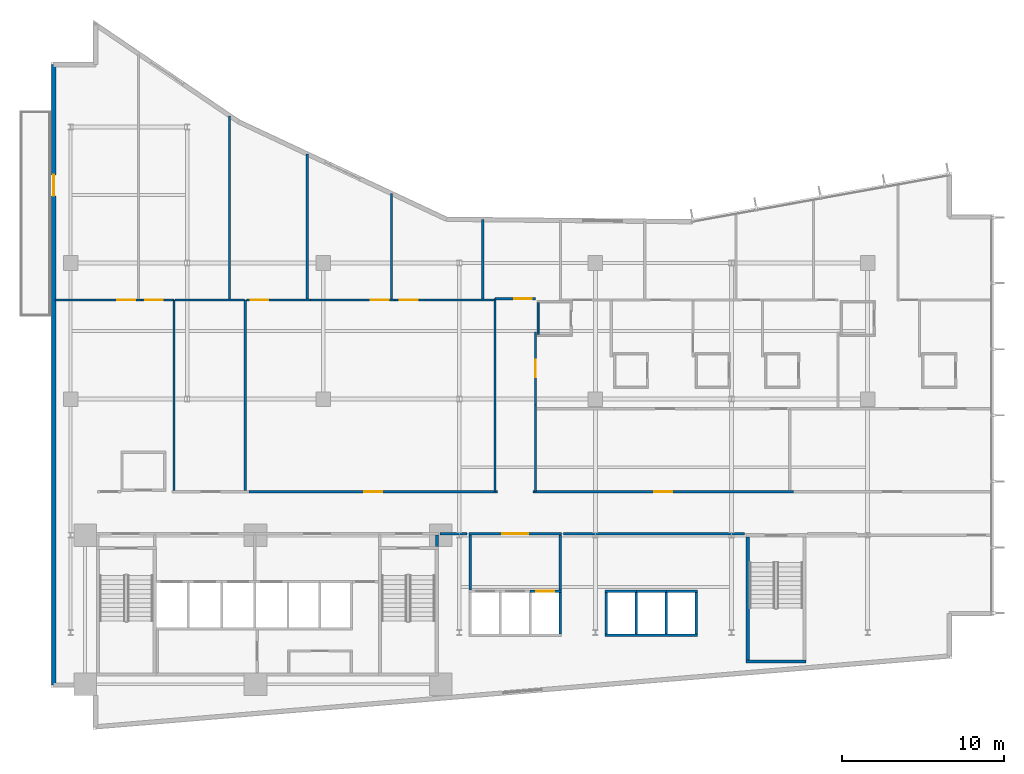
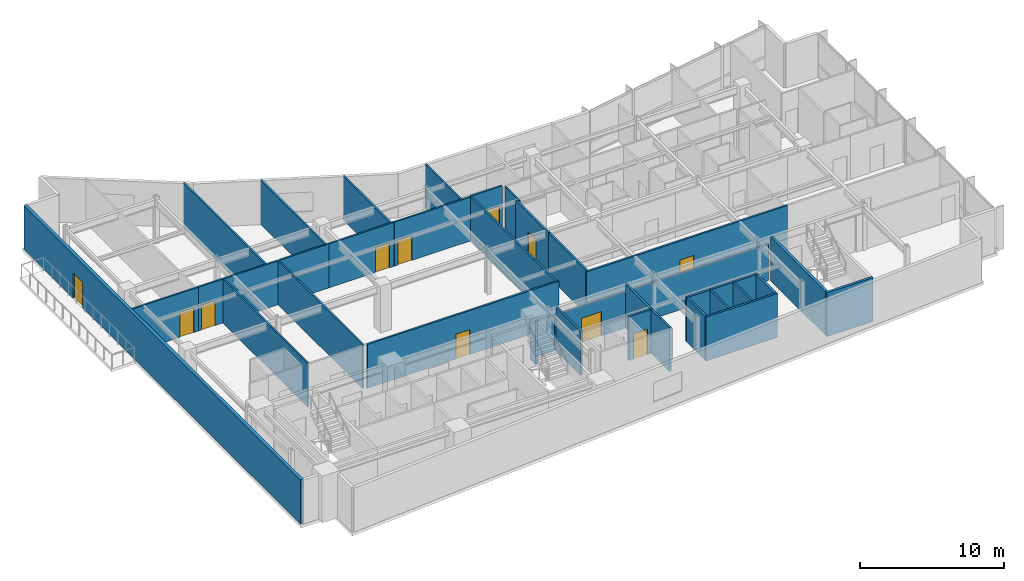
# One storey, part 14 of 22: 38 walls, 12 doors, 12 openings.
"""IFC4 building model written with IfcOpenShell, lengths in metres."""

import ifcopenshell
import ifcopenshell.guid

model = None  # the IFC model being written
_history = None  # IfcOwnerHistory: only IFC2X3 demands one
_inside = {}  # id of a spatial element -> (the spatial element, [elements in it])
_under = {}  # id of a project, library or spatial element -> (it, [spatial elements below it])
_declared = {}  # id of a project -> (the project, [libraries it declares])
_typed = {}  # id of a type object -> (the type object, [elements of that type])
_made_of = {}  # id of a material, layer set ... -> (it, [elements and type objects made of it])


def new_model(schema):
    """Start an empty IFC model of exactly this schema.

    Asked for "IFC4X3", IfcOpenShell would pick the latest addendum, in which some entities
    have other attributes; the version numbers below select the first issue.
    IFC2X3 requires an IfcOwnerHistory on every rooted entity: one is made here for all.
    """
    global model, _history
    if schema == "IFC4X3":
        model = ifcopenshell.file(schema_version=(4, 3, 0, 0))
    else:
        model = ifcopenshell.file(schema=schema)
    _inside.clear()
    _under.clear()
    _declared.clear()
    _typed.clear()
    _made_of.clear()
    _history = None
    if model.schema == "IFC2X3":
        org = make("IfcOrganization", Name="unknown")
        user = make(
            "IfcPersonAndOrganization",
            ThePerson=make("IfcPerson", FamilyName="unknown"),
            TheOrganization=org,
        )
        app = make(
            "IfcApplication",
            ApplicationDeveloper=org,
            Version="unknown",
            ApplicationFullName="unknown",
            ApplicationIdentifier="unknown",
        )
        _history = make(
            "IfcOwnerHistory",
            OwningUser=user,
            OwningApplication=app,
            ChangeAction="ADDED",
            CreationDate=0,
        )
    return model


def make(cls, **values):
    """One entity of the class cls with the attributes given. An attribute that is None is left unset."""
    return model.create_entity(
        cls, **{name: value for name, value in values.items() if value is not None}
    )


def rooted(cls, **values):
    """An entity with a GlobalId (a new one), such as an element, a storey or a relation."""
    return make(cls, GlobalId=ifcopenshell.guid.new(), OwnerHistory=_history, **values)


def si_unit(unit_type, name, prefix=None):
    """IfcSIUnit, for example si_unit("LENGTHUNIT", "METRE", prefix="MILLI")."""
    return make("IfcSIUnit", UnitType=unit_type, Prefix=prefix, Name=name)


def assignment(units):
    """IfcUnitAssignment: the units of a project."""
    return None if units is None else make("IfcUnitAssignment", Units=units)


def point(xyz):
    """IfcCartesianPoint."""
    return None if xyz is None else make("IfcCartesianPoint", Coordinates=xyz)


def direction(xyz):
    """IfcDirection."""
    return None if xyz is None else make("IfcDirection", DirectionRatios=xyz)


def frame(location, z_axis=None, x_axis=None):
    """IfcAxis2Placement3D, a coordinate frame: its origin and axes. An axis left out is left unset."""
    return make(
        "IfcAxis2Placement3D",
        Location=point(location),
        Axis=direction(z_axis),
        RefDirection=direction(x_axis),
    )


def frame_2d(location, x_axis=None):
    """IfcAxis2Placement2D, a coordinate frame in the plane: its origin and x axis."""
    return make(
        "IfcAxis2Placement2D", Location=point(location), RefDirection=direction(x_axis)
    )


def origin():
    """The frame at (0, 0, 0) with its axes left unset."""
    return frame((0.0, 0.0, 0.0))


def place(relative_to, where):
    """IfcLocalPlacement: puts the frame where relative to a parent placement (None: the world)."""
    return make(
        "IfcLocalPlacement", PlacementRelTo=relative_to, RelativePlacement=where
    )


def context(
    kind, dimensions, precision=None, world=None, true_north=None, identifier=None
):
    """IfcGeometricRepresentationContext, for example the 3D "Model" context."""
    return make(
        "IfcGeometricRepresentationContext",
        ContextIdentifier=identifier,
        ContextType=kind,
        CoordinateSpaceDimension=dimensions,
        Precision=precision,
        WorldCoordinateSystem=world,
        TrueNorth=true_north,
    )


def subcontext(parent, identifier, kind, view, scale=None):
    """IfcGeometricRepresentationSubContext, for example "Body" below "Model"."""
    return make(
        "IfcGeometricRepresentationSubContext",
        ContextIdentifier=identifier,
        ContextType=kind,
        ParentContext=parent,
        TargetScale=scale,
        TargetView=view,
    )


def project(units=None, contexts=None):
    """IfcProject with its units and contexts."""
    return rooted(
        "IfcProject",
        Name="project",
        RepresentationContexts=contexts,
        UnitsInContext=assignment(units),
    )


def spatial(cls, under=None, at=None, **own):
    """A site, building, storey or space (cls), placed at a placement, below another one or the project."""
    s = rooted(cls, ObjectPlacement=at, **own)
    if under is not None:
        _under.setdefault(under.id(), (under, []))[1].append(s)
    return s


def profile(cls, at=None, kind="AREA", **sizes):
    """A parametric profile (cls). Its sizes go by their IFC names, for example OverallWidth=200.0."""
    return make(cls, ProfileType=kind, Position=at, **sizes)


def rectangle(**sizes):
    """IfcRectangleProfileDef."""
    return profile("IfcRectangleProfileDef", **sizes)


def extrude(swept, where, along, depth):
    """IfcExtrudedAreaSolid: the profile swept, set in the frame where, extruded along a direction by depth."""
    return make(
        "IfcExtrudedAreaSolid",
        SweptArea=swept,
        Position=where,
        ExtrudedDirection=direction(along),
        Depth=depth,
    )


def shape(context_of_items, identifier, shape_type, items):
    """IfcShapeRepresentation: the items that make up one representation, for example the "Body"."""
    return make(
        "IfcShapeRepresentation",
        ContextOfItems=context_of_items,
        RepresentationIdentifier=identifier,
        RepresentationType=shape_type,
        Items=items,
    )


def material(Name=None, Category=None):
    """IfcMaterial."""
    return make("IfcMaterial", Name=Name, Category=Category)


def layer(
    of_material, thickness, ventilated=None, Name=None, Category=None, Priority=None
):
    """IfcMaterialLayer: one layer of a wall or slab, of a material (None: an air gap)."""
    return make(
        "IfcMaterialLayer",
        Material=of_material,
        LayerThickness=thickness,
        IsVentilated=ventilated,
        Name=Name,
        Category=Category,
        Priority=Priority,
    )


def layer_set(layers, Name=None):
    """IfcMaterialLayerSet."""
    return make("IfcMaterialLayerSet", MaterialLayers=layers, LayerSetName=Name)


def made_of(thing, what):
    """Note that an element or type object is made of a material, layer set ...; save() writes the relation."""
    if what is not None:
        _made_of.setdefault(what.id(), (what, []))[1].append(thing)
    return thing


def type_object(cls, material=None, **own):
    """A type object (cls), such as IfcWallType, which elements share."""
    return made_of(rooted(cls, **own), material)


def element(
    cls,
    number,
    at=None,
    inside=None,
    cuts=None,
    type_object=None,
    material=None,
    context=None,
    identifier="Body",
    shape_type=None,
    held_by="IfcProductDefinitionShape",
    body=None,
    shapes=None,
    **own,
):
    """One element of the class cls, such as IfcWall. Its Tag is "e" and its number.

    at: its placement. inside: the storey or other place that contains it. cuts: it is an
    opening in that element (IfcRelVoidsElement). A single representation is given by context,
    identifier, shape_type and body (its items); several are given by shapes. held_by: the class
    of the entity that holds the representations. save() writes the other relations.
    """
    e = rooted(cls, Tag="e%d" % number, ObjectPlacement=at, **own)
    if body is not None:
        shapes = [shape(context, identifier, shape_type, body)]
    if shapes is not None:
        e.Representation = make(held_by, Representations=shapes)
    if inside is not None:
        _inside.setdefault(inside.id(), (inside, []))[1].append(e)
    if cuts is not None:
        rooted(
            "IfcRelVoidsElement", RelatingBuildingElement=cuts, RelatedOpeningElement=e
        )
    if type_object is not None:
        _typed.setdefault(type_object.id(), (type_object, []))[1].append(e)
    return made_of(e, material)


def fill(opening, filler):
    """IfcRelFillsElement: the door or window that sits in an opening."""
    return rooted(
        "IfcRelFillsElement",
        RelatingOpeningElement=opening,
        RelatedBuildingElement=filler,
    )


def aggregate(whole, parts):
    """IfcRelAggregates: a whole, such as a stair, and the parts it consists of."""
    return rooted("IfcRelAggregates", RelatingObject=whole, RelatedObjects=parts)


def save(model, path):
    """Write the relations noted so far, then the file.

    IfcRelAggregates (storeys below a building ...), IfcRelContainedInSpatialStructure (elements
    in a storey), IfcRelDefinesByType, IfcRelAssociatesMaterial and IfcRelDeclares: one each for
    every whole, place, type object, material and project.
    """
    for whole, parts in _under.values():
        aggregate(whole, parts)
    for where, things in _inside.values():
        rooted(
            "IfcRelContainedInSpatialStructure",
            RelatedElements=things,
            RelatingStructure=where,
        )
    for kind, things in _typed.values():
        rooted("IfcRelDefinesByType", RelatedObjects=things, RelatingType=kind)
    for what, things in _made_of.values():
        rooted("IfcRelAssociatesMaterial", RelatedObjects=things, RelatingMaterial=what)
    for by, libraries in _declared.values():
        rooted("IfcRelDeclares", RelatingContext=by, RelatedDefinitions=libraries)
    model.write(path)


model = new_model("IFC4")

# Units and contexts
model_context = context("Model", 3, precision=1e-05, world=origin(), true_north=direction((0.0, 1.0)))
body_context = subcontext(model_context, "Body", "Model", "MODEL_VIEW")
ifc_project = project(units=[si_unit("LENGTHUNIT", "METRE"), si_unit("AREAUNIT", "SQUARE_METRE"), si_unit("VOLUMEUNIT", "CUBIC_METRE"), si_unit("PLANEANGLEUNIT", "RADIAN"), si_unit("MASSUNIT", "GRAM", prefix="KILO")], contexts=[model_context])

# Site, building, storey
site_placement = place(None, origin())
site = spatial("IfcSite", under=ifc_project, at=site_placement, CompositionType="ELEMENT")
building_placement = place(site_placement, origin())
building = spatial("IfcBuilding", under=site, at=building_placement, Name="Varnakote Quay Hospital", CompositionType="ELEMENT")
storey_placement = place(building_placement, frame((0.0, 0.0, 62.0)))
storey = spatial("IfcBuildingStorey", under=building, at=storey_placement, Name="L15", CompositionType="ELEMENT", Elevation=62.0)

# Walls
ifc_material_1 = material(Name="Fire-rated acoustic gypsum stud wall", Category="gypsum")
ifc_layer_1 = layer(ifc_material_1, 0.159912109375)
ifc_layer_set_1 = layer_set([ifc_layer_1], Name="Fire-rated acoustic gypsum stud wall")
wall_type_1 = type_object("IfcWallType", Name="WL-COMP-160", PredefinedType="PARTITIONING", material=ifc_layer_set_1)
wall_1_placement = place(storey_placement, frame((23.820068359375, 11.300048828125, 0.0), z_axis=(0.0, 0.0, 1.0), x_axis=(0.0, 1.0, 0.0)))
element("IfcWall", 1, at=wall_1_placement, inside=storey, type_object=wall_type_1, Name="L15 East Stair Vestibule East Wall", PredefinedType="PARTITIONING", context=body_context, shape_type="SweptSolid", body=[
    extrude(rectangle(XDim=0.699951171875, YDim=0.159912109375, at=frame_2d((0.35009765625, 0.0))), origin(), (0.0, 0.0, 1.0), 3.7099609375),
])
for number, where, z_axis, x_axis, name in (
    (2, (25.8701171875, 8.610107421875, 0.0), (0.0, 0.0, 1.0), (0.0, 1.0, 0.0), "L15 Low-Rise Lift Lobby West Wall"),
    (3, (31.429931640625, 8.610107421875, 0.0), (0.0, 0.0, 1.0), (0.0, 1.0, 0.0), "L15 Low-Rise Lift Lobby East Wall"),
):
    element("IfcWall", number, at=place(storey_placement, frame(where, z_axis=z_axis, x_axis=x_axis)), inside=storey, type_object=wall_type_1, Name=name, PredefinedType="PARTITIONING", context=body_context, shape_type="SweptSolid", body=[
        extrude(rectangle(XDim=3.389892578125, YDim=0.159912109375, at=frame_2d((1.69482421875, 0.0))), origin(), (0.0, 0.0, 1.0), 3.7099609375),
    ])

# Wall, opening, door
wall_2_placement = place(storey_placement, frame((25.7900390625, 12.080078125, 0.0), z_axis=(0.0, 0.0, 1.0), x_axis=(1.0, 0.0, 0.0)))
wall_2 = element("IfcWall", 4, at=wall_2_placement, inside=storey, type_object=wall_type_1, Name="L15 Low-Rise Lift Lobby North Wall", PredefinedType="PARTITIONING", context=body_context, shape_type="SweptSolid", body=[
    extrude(rectangle(XDim=5.719970703125, YDim=0.159912109375, at=frame_2d((2.85986328125, 0.0))), origin(), (0.0, 0.0, 1.0), 3.072998046875),
])
opening_1_placement = place(wall_2_placement, frame((2.06005859375, 0.0, 0.0)))
opening_1 = element("IfcOpeningElement", 5, at=opening_1_placement, cuts=wall_2, Name="Opening D-PLL-L15", PredefinedType="OPENING", context=body_context, shape_type="SweptSolid", body=[
    extrude(rectangle(XDim=1.60009765625, YDim=2.050048828125, at=frame_2d((0.800048828125, 1.02490234375))), frame((0.0, 0.08984375, 0.0), z_axis=(0.0, -1.0, 0.0), x_axis=(1.0, 0.0, 0.0)), (0.0, 0.0, 1.0), 0.179931640625),
])
ifc_material_2 = material(Name="Fire-rated double smoke lobby door")
door_type_1 = type_object("IfcDoorType", Name="DR-LOBBY-FD60S-1600x2150", OperationType="NOTDEFINED", PredefinedType="DOOR", material=ifc_material_2)
door_1_placement = place(opening_1_placement, origin())
door_1 = element("IfcDoor", 6, at=door_1_placement, inside=storey, type_object=door_type_1, Name="L15 Low-Rise Passenger Concourse Vestibule Door", OperationType="DOUBLE_DOOR_SINGLE_SWING", OverallHeight=2.050048828125, OverallWidth=1.60009765625, PredefinedType="DOOR", context=body_context, shape_type="SweptSolid", body=[
    extrude(rectangle(XDim=1.60009765625, YDim=2.050048828125, at=frame_2d((0.800048828125, 1.02490234375))), frame((0.0, 0.02490234375, 0.0), z_axis=(0.0, -1.0, 0.0), x_axis=(1.0, 0.0, 0.0)), (0.0, 0.0, 1.0), 0.050048828125),
])
fill(opening_1, door_1)

# Walls
wall_3_placement = place(storey_placement, frame((24.02001953125, 12.080078125, 0.0), z_axis=(0.0, 0.0, 1.0), x_axis=(1.0, 0.0, 0.0)))
element("IfcWall", 7, at=wall_3_placement, inside=storey, type_object=wall_type_1, Name="L15 Corridor South Gap Wall", PredefinedType="PARTITIONING", context=body_context, shape_type="SweptSolid", body=[
    extrude(rectangle(XDim=1.64990234375, YDim=0.159912109375, at=frame_2d((0.824951171875, 0.0))), origin(), (0.0, 0.0, 1.0), 3.072998046875),
])
wall_4_placement = place(storey_placement, frame((31.6298828125, 12.080078125, 0.0), z_axis=(0.0, 0.0, 1.0), x_axis=(1.0, 0.0, 0.0)))
element("IfcWall", 8, at=wall_4_placement, inside=storey, type_object=wall_type_1, Name="L15 Corridor South Gap Wall", PredefinedType="PARTITIONING", context=body_context, shape_type="SweptSolid", body=[
    extrude(rectangle(XDim=11.180908203125, YDim=0.159912109375, at=frame_2d((5.59033203125, 0.0))), origin(), (0.0, 0.0, 1.0), 3.072998046875),
])
ifc_material_3 = material(Name="Moisture-resistant bathroom partition", Category="gypsum")
ifc_layer_2 = layer(ifc_material_3, 0.114990234375)
ifc_layer_set_2 = layer_set([ifc_layer_2], Name="Moisture-resistant bathroom partition")
wall_type_2 = type_object("IfcWallType", Name="WL-ENS-115", PredefinedType="PARTITIONING", material=ifc_layer_set_2)
wall_5_placement = place(storey_placement, frame((30.0625, 24.39990234375, 0.0), z_axis=(0.0, 0.0, 1.0), x_axis=(0.0, 1.0, 0.0)))
element("IfcWall", 9, at=wall_5_placement, inside=storey, type_object=wall_type_2, Name="L15 Inpatient En-Suite Bathroom 01 W Wall", PredefinedType="PARTITIONING", context=body_context, shape_type="SweptSolid", body=[
    extrude(rectangle(XDim=1.9501953125, YDim=0.114990234375, at=frame_2d((0.97509765625, 0.0))), origin(), (0.0, 0.0, 1.0), 3.7099609375),
])

# Wall, opening, door
ifc_material_4 = material(Name="Precast concrete N50 (f'c 50 MPa)", Category="concrete")
ifc_layer_3 = layer(ifc_material_4, 0.260009765625)
ifc_layer_set_3 = layer_set([ifc_layer_3], Name="Precast concrete N50 (f'c 50 MPa)")
wall_type_3 = type_object("IfcWallType", Name="WL-EXT-BRICK-260", PredefinedType="STANDARD", material=ifc_layer_set_3)
wall_6_placement = place(storey_placement, frame((0.159912109375, 41.0400390625, 0.0), z_axis=(0.0, 0.0, 1.0), x_axis=(0.0, -1.0, 0.0)))
wall_6 = element("IfcWall", 10, at=wall_6_placement, inside=storey, type_object=wall_type_3, Name="L15 Healing Terrace Portal Brick Wall", PredefinedType="STANDARD", context=body_context, shape_type="SweptSolid", body=[
    extrude(rectangle(XDim=38.280029296875, YDim=0.260009765625, at=frame_2d((19.14013671875, 0.0))), origin(), (0.0, 0.0, 1.0), 3.7099609375),
])
opening_2_placement = place(wall_6_placement, frame((6.793212890625, 0.0, 0.0)))
opening_2 = element("IfcOpeningElement", 11, at=opening_2_placement, cuts=wall_6, Name="Opening DT-L15", PredefinedType="OPENING", context=body_context, shape_type="SweptSolid", body=[
    extrude(rectangle(XDim=1.300048828125, YDim=2.14990234375, at=frame_2d((0.64990234375, 1.074951171875))), frame((0.0, 0.139892578125, 0.0), z_axis=(0.0, -1.0, 0.0), x_axis=(1.0, 0.0, 0.0)), (0.0, 0.0, 1.0), 0.280029296875),
])
ifc_material_5 = material(Name="Anodised aluminium glazed terrace door", Category="aluminium")
door_type_2 = type_object("IfcDoorType", Name="DR-EXT-TERR-1300x2150", OperationType="NOTDEFINED", PredefinedType="DOOR", material=ifc_material_5)
door_2_placement = place(opening_2_placement, origin())
door_2 = element("IfcDoor", 12, at=door_2_placement, inside=storey, type_object=door_type_2, Name="L15 Waterfront Healing Terrace Door", OperationType="SINGLE_SWING_RIGHT", OverallHeight=2.14990234375, OverallWidth=1.300048828125, PredefinedType="DOOR", context=body_context, shape_type="SweptSolid", body=[
    extrude(rectangle(XDim=1.300048828125, YDim=2.14990234375, at=frame_2d((0.64990234375, 1.074951171875))), frame((0.0, 0.02490234375, 0.0), z_axis=(0.0, -1.0, 0.0), x_axis=(1.0, 0.0, 0.0)), (0.0, 0.0, 1.0), 0.050048828125),
])
fill(opening_2, door_2)

# Walls
ifc_material_6 = material(Name="Concrete N50 (f'c 50 MPa)", Category="concrete")
ifc_layer_4 = layer(ifc_material_6, 0.14990234375)
ifc_layer_set_4 = layer_set([ifc_layer_4], Name="Concrete N50 (f'c 50 MPa)")
wall_type_4 = type_object("IfcWallType", Name="WL-SHAFT-N50-150", PredefinedType="SHEAR", material=ifc_layer_set_4)
for number, where, z_axis, x_axis, name in (
    (13, (36.125, 5.89990234375, 0.0), (0.0, 0.0, 1.0), (0.0, 1.0, 0.0), "L15 LF-PM1 Hoistway Divider Wall"),
    (14, (37.97509765625, 5.89990234375, 0.0), (0.0, 0.0, 1.0), (0.0, 1.0, 0.0), "L15 LF-PM2 Hoistway Divider Wall"),
):
    element("IfcWall", number, at=place(storey_placement, frame(where, z_axis=z_axis, x_axis=x_axis)), inside=storey, type_object=wall_type_4, Name=name, PredefinedType="SHEAR", context=body_context, shape_type="SweptSolid", body=[
        extrude(rectangle(XDim=2.550048828125, YDim=0.14990234375, at=frame_2d((1.27490234375, 0.0))), origin(), (0.0, 0.0, 1.0), 3.7099609375),
    ])
ifc_material_7 = material(Name="Concrete N50 (f'c 50 MPa)", Category="concrete")
ifc_layer_5 = layer(ifc_material_7, 0.159912109375)
ifc_layer_set_5 = layer_set([ifc_layer_5], Name="Concrete N50 (f'c 50 MPa)")
wall_type_5 = type_object("IfcWallType", Name="WL-SHAFT-N50-160", PredefinedType="SHEAR", material=ifc_layer_set_5)
wall_7_placement = place(storey_placement, frame((31.429931640625, 5.89990234375, 0.0), z_axis=(0.0, 0.0, 1.0), x_axis=(0.0, 1.0, 0.0)))
element("IfcWall", 15, at=wall_7_placement, inside=storey, type_object=wall_type_5, Name="L15 LOW Lift Bank East Shear Wall", PredefinedType="SHEAR", context=body_context, shape_type="SweptSolid", body=[
    extrude(rectangle(XDim=2.550048828125, YDim=0.159912109375, at=frame_2d((1.27490234375, 0.0))), origin(), (0.0, 0.0, 1.0), 3.7099609375),
])

# Wall, opening, door
wall_8_placement = place(storey_placement, frame((29.574951171875, 8.530029296875, 0.0), z_axis=(0.0, 0.0, 1.0), x_axis=(1.0, 0.0, 0.0)))
wall_8 = element("IfcWall", 16, at=wall_8_placement, inside=storey, type_object=wall_type_5, Name="L15 LF-PL3 Hoistway Front Wall", PredefinedType="SHEAR", context=body_context, shape_type="SweptSolid", body=[
    extrude(rectangle(XDim=1.93505859375, YDim=0.159912109375, at=frame_2d((0.967529296875, 0.0))), origin(), (0.0, 0.0, 1.0), 3.7099609375),
])
opening_3_placement = place(wall_8_placement, frame((0.375, 0.0, 0.0)))
opening_3 = element("IfcOpeningElement", 17, at=opening_3_placement, cuts=wall_8, Name="Opening LD-PL3-L15", PredefinedType="OPENING", context=body_context, shape_type="SweptSolid", body=[
    extrude(rectangle(XDim=1.10009765625, YDim=2.14990234375, at=frame_2d((0.550048828125, 1.074951171875))), frame((0.0, 0.08984375, 0.0), z_axis=(0.0, -1.0, 0.0), x_axis=(1.0, 0.0, 0.0)), (0.0, 0.0, 1.0), 0.179931640625),
])
ifc_material_8 = material(Name="Brushed bronze lift landing sliding door")
door_type_3 = type_object("IfcDoorType", Name="DR-LIFT-LD-1100x2150", OperationType="NOTDEFINED", PredefinedType="DOOR", material=ifc_material_8)
door_3_placement = place(opening_3_placement, origin())
door_3 = element("IfcDoor", 18, at=door_3_placement, inside=storey, type_object=door_type_3, Name="L15 LF-PL3 Lift Landing Sliding Door", OperationType="SLIDING_TO_LEFT", OverallHeight=2.14990234375, OverallWidth=1.10009765625, PredefinedType="DOOR", context=body_context, shape_type="SweptSolid", body=[
    extrude(rectangle(XDim=1.10009765625, YDim=2.14990234375, at=frame_2d((0.550048828125, 1.074951171875))), frame((0.0, 0.02490234375, 0.0), z_axis=(0.0, -1.0, 0.0), x_axis=(1.0, 0.0, 0.0)), (0.0, 0.0, 1.0), 0.050048828125),
])
fill(opening_3, door_3)

# Walls
wall_9_placement = place(storey_placement, frame((34.18994140625, 5.820068359375, 0.0), z_axis=(0.0, 0.0, 1.0), x_axis=(1.0, 0.0, 0.0)))
element("IfcWall", 19, at=wall_9_placement, inside=storey, type_object=wall_type_5, Name="L15 MID Lift Bank Back Shear Wall", PredefinedType="SHEAR", context=body_context, shape_type="SweptSolid", body=[
    extrude(rectangle(XDim=5.719970703125, YDim=0.159912109375, at=frame_2d((2.85986328125, 0.0))), origin(), (0.0, 0.0, 1.0), 3.7099609375),
])
for number, where, z_axis, x_axis, name in (
    (20, (34.27001953125, 5.89990234375, 0.0), (0.0, 0.0, 1.0), (0.0, 1.0, 0.0), "L15 MID Lift Bank West Shear Wall"),
    (21, (39.830078125, 5.89990234375, 0.0), (0.0, 0.0, 1.0), (0.0, 1.0, 0.0), "L15 MID Lift Bank East Shear Wall"),
):
    element("IfcWall", number, at=place(storey_placement, frame(where, z_axis=z_axis, x_axis=x_axis)), inside=storey, type_object=wall_type_5, Name=name, PredefinedType="SHEAR", context=body_context, shape_type="SweptSolid", body=[
        extrude(rectangle(XDim=2.550048828125, YDim=0.159912109375, at=frame_2d((1.27490234375, 0.0))), origin(), (0.0, 0.0, 1.0), 3.7099609375),
    ])
wall_10_placement = place(storey_placement, frame((34.18994140625, 8.530029296875, 0.0), z_axis=(0.0, 0.0, 1.0), x_axis=(1.0, 0.0, 0.0)))
element("IfcWall", 22, at=wall_10_placement, inside=storey, type_object=wall_type_5, Name="L15 LF-PM1 Hoistway Front Wall", PredefinedType="SHEAR", context=body_context, shape_type="SweptSolid", body=[
    extrude(rectangle(XDim=1.93505859375, YDim=0.159912109375, at=frame_2d((0.967529296875, 0.0))), origin(), (0.0, 0.0, 1.0), 3.7099609375),
])
wall_11_placement = place(storey_placement, frame((36.125, 8.530029296875, 0.0), z_axis=(0.0, 0.0, 1.0), x_axis=(1.0, 0.0, 0.0)))
element("IfcWall", 23, at=wall_11_placement, inside=storey, type_object=wall_type_5, Name="L15 LF-PM2 Hoistway Front Wall", PredefinedType="SHEAR", context=body_context, shape_type="SweptSolid", body=[
    extrude(rectangle(XDim=1.85009765625, YDim=0.159912109375, at=frame_2d((0.925048828125, 0.0))), origin(), (0.0, 0.0, 1.0), 3.7099609375),
])
wall_12_placement = place(storey_placement, frame((37.97509765625, 8.530029296875, 0.0), z_axis=(0.0, 0.0, 1.0), x_axis=(1.0, 0.0, 0.0)))
element("IfcWall", 24, at=wall_12_placement, inside=storey, type_object=wall_type_5, Name="L15 LF-PM3 Hoistway Front Wall", PredefinedType="SHEAR", context=body_context, shape_type="SweptSolid", body=[
    extrude(rectangle(XDim=1.934814453125, YDim=0.159912109375, at=frame_2d((0.96728515625, 0.0))), origin(), (0.0, 0.0, 1.0), 3.7099609375),
])
ifc_material_9 = material(Name="Concrete N50 (f'c 50 MPa)", Category="concrete")
ifc_layer_6 = layer(ifc_material_9, 0.199951171875)
ifc_layer_set_6 = layer_set([ifc_layer_6], Name="Concrete N50 (f'c 50 MPa)")
wall_type_6 = type_object("IfcWallType", Name="WL-SHAFT-N50-200", PredefinedType="SHEAR", material=ifc_layer_set_6)
wall_13_placement = place(storey_placement, frame((42.89990234375, 4.199951171875, 0.0), z_axis=(0.0, 0.0, 1.0), x_axis=(1.0, 0.0, 0.0)))
element("IfcWall", 25, at=wall_13_placement, inside=storey, type_object=wall_type_6, Name="L15 Stair ST3 South Shaft Wall", PredefinedType="SHEAR", context=body_context, shape_type="SweptSolid", body=[
    extrude(rectangle(XDim=3.7001953125, YDim=0.199951171875, at=frame_2d((1.85009765625, 0.0))), origin(), (0.0, 0.0, 1.0), 3.7099609375),
])
wall_14_placement = place(storey_placement, frame((43.0, 4.300048828125, 0.0), z_axis=(0.0, 0.0, 1.0), x_axis=(0.0, 1.0, 0.0)))
element("IfcWall", 26, at=wall_14_placement, inside=storey, type_object=wall_type_6, Name="L15 Stair ST3 West Shaft Wall", PredefinedType="SHEAR", context=body_context, shape_type="SweptSolid", body=[
    extrude(rectangle(XDim=7.599853515625, YDim=0.199951171875, at=frame_2d((3.7998046875, 0.0))), origin(), (0.0, 0.0, 1.0), 3.7099609375),
])
ifc_material_10 = material(Name="Smoke-proof clinical partition", Category="gypsum")
ifc_layer_7 = layer(ifc_material_10, 0.135009765625)
ifc_layer_set_7 = layer_set([ifc_layer_7], Name="Smoke-proof clinical partition")
wall_type_7 = type_object("IfcWallType", Name="WL-SMOKE-135", PredefinedType="PARTITIONING", material=ifc_layer_set_7)
wall_15_placement = place(storey_placement, frame((7.580078125, 14.760009765625, 0.0), z_axis=(0.0, 0.0, 1.0), x_axis=(0.0, 1.0, 0.0)))
element("IfcWall", 27, at=wall_15_placement, inside=storey, type_object=wall_type_7, Name="L15 Clinical Interior Partition", PredefinedType="PARTITIONING", context=body_context, shape_type="SweptSolid", body=[
    extrude(rectangle(XDim=11.760009765625, YDim=0.135009765625, at=frame_2d((5.8798828125, 0.0))), origin(), (0.0, 0.0, 1.0), 3.7099609375),
])

# Wall, opening, door
wall_16_placement = place(storey_placement, frame((5.584716796875, 26.52001953125, 0.0), z_axis=(0.0, 0.0, 1.0), x_axis=(-1.0, 0.0, 0.0)))
wall_16 = element("IfcWall", 28, at=wall_16_placement, inside=storey, type_object=wall_type_7, Name="L15 Clinical Interior Partition", PredefinedType="PARTITIONING", context=body_context, shape_type="SweptSolid", body=[
    extrude(rectangle(XDim=5.3447265625, YDim=0.135009765625, at=frame_2d((2.67236328125, 0.0))), origin(), (0.0, 0.0, 1.0), 3.7099609375),
])
opening_4_placement = place(wall_16_placement, frame((0.39208984375, 0.0, 0.0)))
opening_4 = element("IfcOpeningElement", 29, at=opening_4_placement, cuts=wall_16, Name="Opening D-L15-MD04", PredefinedType="OPENING", context=body_context, shape_type="SweptSolid", body=[
    extrude(rectangle(XDim=1.10009765625, YDim=2.10009765625, at=frame_2d((0.550048828125, 1.050048828125))), frame((0.0, 0.077392578125, 0.0), z_axis=(0.0, -1.0, 0.0), x_axis=(1.0, 0.0, 0.0)), (0.0, 0.0, 1.0), 0.155029296875),
])
ifc_material_11 = material(Name="Acoustic timber clinical consult door", Category="wood")
door_type_4 = type_object("IfcDoorType", Name="DR-CLIN-FD30S-1100x2100", OperationType="NOTDEFINED", PredefinedType="DOOR", material=ifc_material_11)
door_4_placement = place(opening_4_placement, origin())
door_4 = element("IfcDoor", 30, at=door_4_placement, inside=storey, type_object=door_type_4, Name="L15 Family Consultation Meeting Room Door", OperationType="SINGLE_SWING_LEFT", OverallHeight=2.10009765625, OverallWidth=1.10009765625, PredefinedType="DOOR", context=body_context, shape_type="SweptSolid", body=[
    extrude(rectangle(XDim=1.10009765625, YDim=2.10009765625, at=frame_2d((0.550048828125, 1.050048828125))), frame((0.0, 0.02490234375, 0.0), z_axis=(0.0, -1.0, 0.0), x_axis=(1.0, 0.0, 0.0)), (0.0, 0.0, 1.0), 0.050048828125),
])
fill(opening_4, door_4)

wall_17_placement = place(storey_placement, frame((7.580078125, 26.52001953125, 0.0), z_axis=(0.0, 0.0, 1.0), x_axis=(-1.0, 0.0, 0.0)))
wall_17 = element("IfcWall", 31, at=wall_17_placement, inside=storey, type_object=wall_type_7, Name="L15 Clinical Interior Partition", PredefinedType="PARTITIONING", context=body_context, shape_type="SweptSolid", body=[
    extrude(rectangle(XDim=1.993408203125, YDim=0.135009765625, at=frame_2d((0.99658203125, 0.0))), origin(), (0.0, 0.0, 1.0), 3.7099609375),
])
opening_5_placement = place(wall_17_placement, frame((0.68115234375, 0.0, 0.0)))
opening_5 = element("IfcOpeningElement", 32, at=opening_5_placement, cuts=wall_17, Name="Opening D-L15-MD05", PredefinedType="OPENING", context=body_context, shape_type="SweptSolid", body=[
    extrude(rectangle(XDim=1.10009765625, YDim=2.10009765625, at=frame_2d((0.550048828125, 1.050048828125))), frame((0.0, 0.077392578125, 0.0), z_axis=(0.0, -1.0, 0.0), x_axis=(1.0, 0.0, 0.0)), (0.0, 0.0, 1.0), 0.155029296875),
])
door_5_placement = place(opening_5_placement, origin())
door_5 = element("IfcDoor", 33, at=door_5_placement, inside=storey, type_object=door_type_4, Name="L15 Ward Clinical Consultation Office Door", OperationType="SINGLE_SWING_RIGHT", OverallHeight=2.10009765625, OverallWidth=1.10009765625, PredefinedType="DOOR", context=body_context, shape_type="SweptSolid", body=[
    extrude(rectangle(XDim=1.10009765625, YDim=2.10009765625, at=frame_2d((0.550048828125, 1.050048828125))), frame((0.0, 0.02490234375, 0.0), z_axis=(0.0, -1.0, 0.0), x_axis=(1.0, 0.0, 0.0)), (0.0, 0.0, 1.0), 0.050048828125),
])
fill(opening_5, door_5)

# Walls
wall_18_placement = place(storey_placement, frame((11.989990234375, 14.760009765625, 0.0), z_axis=(0.0, 0.0, 1.0), x_axis=(0.0, 1.0, 0.0)))
element("IfcWall", 34, at=wall_18_placement, inside=storey, type_object=wall_type_7, Name="L15 Clinical Interior Partition", PredefinedType="PARTITIONING", context=body_context, shape_type="SweptSolid", body=[
    extrude(rectangle(XDim=11.760009765625, YDim=0.135009765625, at=frame_2d((5.8798828125, 0.0))), origin(), (0.0, 0.0, 1.0), 3.7099609375),
])
wall_19_placement = place(storey_placement, frame((11.9326171875, 26.52001953125, 0.0), z_axis=(0.0, 0.0, 1.0), x_axis=(-1.0, 0.0, 0.0)))
element("IfcWall", 35, at=wall_19_placement, inside=storey, type_object=wall_type_7, Name="L15 Clinical Interior Partition", PredefinedType="PARTITIONING", context=body_context, shape_type="SweptSolid", body=[
    extrude(rectangle(XDim=4.295166015625, YDim=0.135009765625, at=frame_2d((2.1474609375, 0.0))), origin(), (0.0, 0.0, 1.0), 3.7099609375),
])

# Wall, opening, door
wall_20_placement = place(storey_placement, frame((16.004638671875, 26.52001953125, 0.0), z_axis=(0.0, 0.0, 1.0), x_axis=(-1.0, 0.0, 0.0)))
wall_20 = element("IfcWall", 36, at=wall_20_placement, inside=storey, type_object=wall_type_7, Name="L15 Clinical Interior Partition", PredefinedType="PARTITIONING", context=body_context, shape_type="SweptSolid", body=[
    extrude(rectangle(XDim=3.95703125, YDim=0.135009765625, at=frame_2d((1.978515625, 0.0))), origin(), (0.0, 0.0, 1.0), 3.7099609375),
])
opening_6_placement = place(wall_20_placement, frame((2.595703125, 0.0, 0.0)))
opening_6 = element("IfcOpeningElement", 37, at=opening_6_placement, cuts=wall_20, Name="Opening D-L15-MD06", PredefinedType="OPENING", context=body_context, shape_type="SweptSolid", body=[
    extrude(rectangle(XDim=1.10009765625, YDim=2.10009765625, at=frame_2d((0.550048828125, 1.050048828125))), frame((0.0, 0.077392578125, 0.0), z_axis=(0.0, -1.0, 0.0), x_axis=(1.0, 0.0, 0.0)), (0.0, 0.0, 1.0), 0.155029296875),
])
door_6_placement = place(opening_6_placement, origin())
door_6 = element("IfcDoor", 38, at=door_6_placement, inside=storey, type_object=door_type_4, Name="L15 Staff Clinical Handover Office Door", OperationType="SINGLE_SWING_LEFT", OverallHeight=2.10009765625, OverallWidth=1.10009765625, PredefinedType="DOOR", context=body_context, shape_type="SweptSolid", body=[
    extrude(rectangle(XDim=1.10009765625, YDim=2.10009765625, at=frame_2d((0.550048828125, 1.050048828125))), frame((0.0, 0.02490234375, 0.0), z_axis=(0.0, -1.0, 0.0), x_axis=(1.0, 0.0, 0.0)), (0.0, 0.0, 1.0), 0.050048828125),
])
fill(opening_6, door_6)

wall_21_placement = place(storey_placement, frame((21.214599609375, 26.52001953125, 0.0), z_axis=(0.0, 0.0, 1.0), x_axis=(-1.0, 0.0, 0.0)))
wall_21 = element("IfcWall", 39, at=wall_21_placement, inside=storey, type_object=wall_type_7, Name="L15 Clinical Interior Partition", PredefinedType="PARTITIONING", context=body_context, shape_type="SweptSolid", body=[
    extrude(rectangle(XDim=5.2080078125, YDim=0.135009765625, at=frame_2d((2.60400390625, 0.0))), origin(), (0.0, 0.0, 1.0), 3.7099609375),
])
opening_7_placement = place(wall_21_placement, frame((0.385498046875, 0.0, 0.0)))
opening_7 = element("IfcOpeningElement", 40, at=opening_7_placement, cuts=wall_21, Name="Opening D-L15-MD07", PredefinedType="OPENING", context=body_context, shape_type="SweptSolid", body=[
    extrude(rectangle(XDim=1.10009765625, YDim=2.10009765625, at=frame_2d((0.550048828125, 1.050048828125))), frame((0.0, 0.077392578125, 0.0), z_axis=(0.0, -1.0, 0.0), x_axis=(1.0, 0.0, 0.0)), (0.0, 0.0, 1.0), 0.155029296875),
])
door_7_placement = place(opening_7_placement, origin())
door_7 = element("IfcDoor", 41, at=door_7_placement, inside=storey, type_object=door_type_4, Name="L15 Step-Down Observation Treatment Suite Door", OperationType="SINGLE_SWING_RIGHT", OverallHeight=2.10009765625, OverallWidth=1.10009765625, PredefinedType="DOOR", context=body_context, shape_type="SweptSolid", body=[
    extrude(rectangle(XDim=1.10009765625, YDim=2.10009765625, at=frame_2d((0.550048828125, 1.050048828125))), frame((0.0, 0.02490234375, 0.0), z_axis=(0.0, -1.0, 0.0), x_axis=(1.0, 0.0, 0.0)), (0.0, 0.0, 1.0), 0.050048828125),
])
fill(opening_7, door_7)

wall_22_placement = place(storey_placement, frame((27.3349609375, 26.52001953125, 0.0), z_axis=(0.0, 0.0, 1.0), x_axis=(-1.0, 0.0, 0.0)))
wall_22 = element("IfcWall", 42, at=wall_22_placement, inside=storey, type_object=wall_type_7, Name="L15 Clinical Interior Partition", PredefinedType="PARTITIONING", context=body_context, shape_type="SweptSolid", body=[
    extrude(rectangle(XDim=6.118408203125, YDim=0.135009765625, at=frame_2d((3.05908203125, 0.0))), origin(), (0.0, 0.0, 1.0), 3.7099609375),
])
opening_8_placement = place(wall_22_placement, frame((4.702880859375, 0.0, 0.0)))
opening_8 = element("IfcOpeningElement", 43, at=opening_8_placement, cuts=wall_22, Name="Opening D-L15-MD08", PredefinedType="OPENING", context=body_context, shape_type="SweptSolid", body=[
    extrude(rectangle(XDim=1.10009765625, YDim=2.10009765625, at=frame_2d((0.550048828125, 1.050048828125))), frame((0.0, 0.077392578125, 0.0), z_axis=(0.0, -1.0, 0.0), x_axis=(1.0, 0.0, 0.0)), (0.0, 0.0, 1.0), 0.155029296875),
])
door_8_placement = place(opening_8_placement, origin())
door_8 = element("IfcDoor", 44, at=door_8_placement, inside=storey, type_object=door_type_4, Name="L15 Family Consultation Meeting Room Door", OperationType="SINGLE_SWING_LEFT", OverallHeight=2.10009765625, OverallWidth=1.10009765625, PredefinedType="DOOR", context=body_context, shape_type="SweptSolid", body=[
    extrude(rectangle(XDim=1.10009765625, YDim=2.10009765625, at=frame_2d((0.550048828125, 1.050048828125))), frame((0.0, 0.02490234375, 0.0), z_axis=(0.0, -1.0, 0.0), x_axis=(1.0, 0.0, 0.0)), (0.0, 0.0, 1.0), 0.050048828125),
])
fill(opening_8, door_8)

# Walls
wall_23_placement = place(storey_placement, frame((11.02001953125, 26.577392578125, 0.0), z_axis=(0.0, 0.0, 1.0), x_axis=(0.0, 1.0, 0.0)))
element("IfcWall", 45, at=wall_23_placement, inside=storey, type_object=wall_type_7, Name="L15 Clinical Interior Partition", PredefinedType="PARTITIONING", context=body_context, shape_type="SweptSolid", body=[
    extrude(rectangle(XDim=11.306396484375, YDim=0.135009765625, at=frame_2d((5.6533203125, 0.0))), origin(), (0.0, 0.0, 1.0), 3.7099609375),
])
wall_24_placement = place(storey_placement, frame((15.81005859375, 26.577392578125, 0.0), z_axis=(0.0, 0.0, 1.0), x_axis=(0.0, 1.0, 0.0)))
element("IfcWall", 46, at=wall_24_placement, inside=storey, type_object=wall_type_7, Name="L15 Clinical Interior Partition", PredefinedType="PARTITIONING", context=body_context, shape_type="SweptSolid", body=[
    extrude(rectangle(XDim=8.946533203125, YDim=0.135009765625, at=frame_2d((4.47314453125, 0.0))), origin(), (0.0, 0.0, 1.0), 3.7099609375),
])
wall_25_placement = place(storey_placement, frame((21.02001953125, 26.577392578125, 0.0), z_axis=(0.0, 0.0, 1.0), x_axis=(0.0, 1.0, 0.0)))
element("IfcWall", 47, at=wall_25_placement, inside=storey, type_object=wall_type_7, Name="L15 Clinical Interior Partition", PredefinedType="PARTITIONING", context=body_context, shape_type="SweptSolid", body=[
    extrude(rectangle(XDim=6.50341796875, YDim=0.135009765625, at=frame_2d((3.251708984375, 0.0))), origin(), (0.0, 0.0, 1.0), 3.7099609375),
])
wall_26_placement = place(storey_placement, frame((26.64990234375, 26.577392578125, 0.0), z_axis=(0.0, 0.0, 1.0), x_axis=(0.0, 1.0, 0.0)))
element("IfcWall", 48, at=wall_26_placement, inside=storey, type_object=wall_type_7, Name="L15 Clinical Interior Partition", PredefinedType="PARTITIONING", context=body_context, shape_type="SweptSolid", body=[
    extrude(rectangle(XDim=4.89306640625, YDim=0.135009765625, at=frame_2d((2.446533203125, 0.0))), origin(), (0.0, 0.0, 1.0), 3.7099609375),
])

# Wall, opening, door
ifc_material_12 = material(Name="Fire-rated clinical gypsum partition", Category="gypsum")
ifc_layer_8 = layer(ifc_material_12, 0.14990234375)
ifc_layer_set_8 = layer_set([ifc_layer_8], Name="Fire-rated clinical gypsum partition")
wall_type_8 = type_object("IfcWallType", Name="WL-WARD-150", PredefinedType="PARTITIONING", material=ifc_layer_set_8)
wall_27_placement = place(storey_placement, frame((27.5458984375, 14.679931640625, 0.0), z_axis=(0.0, 0.0, 1.0), x_axis=(-1.0, 0.0, 0.0)))
wall_27 = element("IfcWall", 49, at=wall_27_placement, inside=storey, type_object=wall_type_8, Name="L15 Clinical Interior Partition", PredefinedType="PARTITIONING", context=body_context, shape_type="SweptSolid", body=[
    extrude(rectangle(XDim=15.327880859375, YDim=0.14990234375, at=frame_2d((7.6640625, 0.0))), origin(), (0.0, 0.0, 1.0), 3.7099609375),
])
opening_9_placement = place(wall_27_placement, frame((7.114013671875, 0.0, 0.0)))
opening_9 = element("IfcOpeningElement", 50, at=opening_9_placement, cuts=wall_27, Name="Opening D-L15-MD01", PredefinedType="OPENING", context=body_context, shape_type="SweptSolid", body=[
    extrude(rectangle(XDim=1.10009765625, YDim=2.10009765625, at=frame_2d((0.550048828125, 1.050048828125))), frame((0.0, 0.0849609375, 0.0), z_axis=(0.0, -1.0, 0.0), x_axis=(1.0, 0.0, 0.0)), (0.0, 0.0, 1.0), 0.169921875),
])
door_9_placement = place(opening_9_placement, origin())
door_9 = element("IfcDoor", 51, at=door_9_placement, inside=storey, type_object=door_type_4, Name="L15 Patient Restorative Dining Room Door", OperationType="SINGLE_SWING_RIGHT", OverallHeight=2.10009765625, OverallWidth=1.10009765625, PredefinedType="DOOR", context=body_context, shape_type="SweptSolid", body=[
    extrude(rectangle(XDim=1.10009765625, YDim=2.10009765625, at=frame_2d((0.550048828125, 1.050048828125))), frame((0.0, 0.02490234375, 0.0), z_axis=(0.0, -1.0, 0.0), x_axis=(1.0, 0.0, 0.0)), (0.0, 0.0, 1.0), 0.050048828125),
])
fill(opening_9, door_9)

wall_28_placement = place(storey_placement, frame((45.81591796875, 14.679931640625, 0.0), z_axis=(0.0, 0.0, 1.0), x_axis=(-1.0, 0.0, 0.0)))
wall_28 = element("IfcWall", 52, at=wall_28_placement, inside=storey, type_object=wall_type_8, Name="L15 Clinical Interior Partition", PredefinedType="PARTITIONING", context=body_context, shape_type="SweptSolid", body=[
    extrude(rectangle(XDim=16.06201171875, YDim=0.14990234375, at=frame_2d((8.031005859375, 0.0))), origin(), (0.0, 0.0, 1.0), 3.7099609375),
])
opening_10_placement = place(wall_28_placement, frame((7.48095703125, 0.0, 0.0)))
opening_10 = element("IfcOpeningElement", 53, at=opening_10_placement, cuts=wall_28, Name="Opening D-L15-MD02", PredefinedType="OPENING", context=body_context, shape_type="SweptSolid", body=[
    extrude(rectangle(XDim=1.10009765625, YDim=2.10009765625, at=frame_2d((0.550048828125, 1.050048828125))), frame((0.0, 0.0849609375, 0.0), z_axis=(0.0, -1.0, 0.0), x_axis=(1.0, 0.0, 0.0)), (0.0, 0.0, 1.0), 0.169921875),
])
door_10_placement = place(opening_10_placement, origin())
door_10 = element("IfcDoor", 54, at=door_10_placement, inside=storey, type_object=door_type_4, Name="L15 Staff Clinical Handover Office Door", OperationType="SINGLE_SWING_LEFT", OverallHeight=2.10009765625, OverallWidth=1.10009765625, PredefinedType="DOOR", context=body_context, shape_type="SweptSolid", body=[
    extrude(rectangle(XDim=1.10009765625, YDim=2.10009765625, at=frame_2d((0.550048828125, 1.050048828125))), frame((0.0, 0.02490234375, 0.0), z_axis=(0.0, -1.0, 0.0), x_axis=(1.0, 0.0, 0.0)), (0.0, 0.0, 1.0), 0.050048828125),
])
fill(opening_10, door_10)

# Walls
wall_29_placement = place(storey_placement, frame((27.39990234375, 26.60009765625, 0.0), z_axis=(0.0, 0.0, 1.0), x_axis=(0.0, -1.0, 0.0)))
element("IfcWall", 55, at=wall_29_placement, inside=storey, type_object=wall_type_8, Name="L15 Clinical Interior Partition", PredefinedType="PARTITIONING", context=body_context, shape_type="SweptSolid", body=[
    extrude(rectangle(XDim=11.900146484375, YDim=0.14990234375, at=frame_2d((5.9501953125, 0.0))), origin(), (0.0, 0.0, 1.0), 3.7099609375),
])
wall_30_placement = place(storey_placement, frame((29.89990234375, 14.699951171875, 0.0), z_axis=(0.0, 0.0, 1.0), x_axis=(0.0, 1.0, 0.0)))
element("IfcWall", 56, at=wall_30_placement, inside=storey, type_object=wall_type_8, Name="L15 Clinical Interior Partition", PredefinedType="PARTITIONING", context=body_context, shape_type="SweptSolid", body=[
    extrude(rectangle(XDim=5.325927734375, YDim=0.14990234375, at=frame_2d((2.6630859375, 0.0))), origin(), (0.0, 0.0, 1.0), 3.7099609375),
])

# Wall, opening, door
wall_31_placement = place(storey_placement, frame((29.89990234375, 20.028076171875, 0.0), z_axis=(0.0, 0.0, 1.0), x_axis=(0.0, 1.0, 0.0)))
wall_31 = element("IfcWall", 57, at=wall_31_placement, inside=storey, type_object=wall_type_8, Name="L15 Clinical Interior Partition", PredefinedType="PARTITIONING", context=body_context, shape_type="SweptSolid", body=[
    extrude(rectangle(XDim=4.517822265625, YDim=0.14990234375, at=frame_2d((2.2587890625, 0.0))), origin(), (0.0, 0.0, 1.0), 3.7099609375),
])
opening_11_placement = place(wall_31_placement, frame((1.708984375, 0.0, 0.0)))
opening_11 = element("IfcOpeningElement", 58, at=opening_11_placement, cuts=wall_31, Name="Opening D-L15-BR01", PredefinedType="OPENING", context=body_context, shape_type="SweptSolid", body=[
    extrude(rectangle(XDim=1.10009765625, YDim=2.10009765625, at=frame_2d((0.550048828125, 1.050048828125))), frame((0.0, 0.0849609375, 0.0), z_axis=(0.0, -1.0, 0.0), x_axis=(1.0, 0.0, 0.0)), (0.0, 0.0, 1.0), 0.169921875),
])
door_11_placement = place(opening_11_placement, origin())
door_11 = element("IfcDoor", 59, at=door_11_placement, inside=storey, type_object=door_type_4, Name="L15 Inpatient Clinical Treatment Room 01 Door", OperationType="SINGLE_SWING_LEFT", OverallHeight=2.10009765625, OverallWidth=1.10009765625, PredefinedType="DOOR", context=body_context, shape_type="SweptSolid", body=[
    extrude(rectangle(XDim=1.10009765625, YDim=2.10009765625, at=frame_2d((0.550048828125, 1.050048828125))), frame((0.0, 0.02490234375, 0.0), z_axis=(0.0, -1.0, 0.0), x_axis=(1.0, 0.0, 0.0)), (0.0, 0.0, 1.0), 0.050048828125),
])
fill(opening_11, door_11)

wall_32_placement = place(storey_placement, frame((29.89990234375, 26.60009765625, 0.0), z_axis=(0.0, 0.0, 1.0), x_axis=(-1.0, 0.0, 0.0)))
wall_32 = element("IfcWall", 60, at=wall_32_placement, inside=storey, type_object=wall_type_8, Name="L15 Clinical Interior Partition", PredefinedType="PARTITIONING", context=body_context, shape_type="SweptSolid", body=[
    extrude(rectangle(XDim=2.5, YDim=0.14990234375, at=frame_2d((1.25, 0.0))), origin(), (0.0, 0.0, 1.0), 3.7099609375),
])
opening_12_placement = place(wall_32_placement, frame((0.22509765625, 0.0, 0.0)))
opening_12 = element("IfcOpeningElement", 61, at=opening_12_placement, cuts=wall_32, Name="Opening D-L15-MD09", PredefinedType="OPENING", context=body_context, shape_type="SweptSolid", body=[
    extrude(rectangle(XDim=1.10009765625, YDim=2.10009765625, at=frame_2d((0.550048828125, 1.050048828125))), frame((0.0, 0.0849609375, 0.0), z_axis=(0.0, -1.0, 0.0), x_axis=(1.0, 0.0, 0.0)), (0.0, 0.0, 1.0), 0.169921875),
])
door_12_placement = place(opening_12_placement, origin())
door_12 = element("IfcDoor", 62, at=door_12_placement, inside=storey, type_object=door_type_4, Name="L15 Ward Clinical Consultation Office Door", OperationType="SINGLE_SWING_RIGHT", OverallHeight=2.10009765625, OverallWidth=1.10009765625, PredefinedType="DOOR", context=body_context, shape_type="SweptSolid", body=[
    extrude(rectangle(XDim=1.10009765625, YDim=2.10009765625, at=frame_2d((0.550048828125, 1.050048828125))), frame((0.0, 0.02490234375, 0.0), z_axis=(0.0, -1.0, 0.0), x_axis=(1.0, 0.0, 0.0)), (0.0, 0.0, 1.0), 0.050048828125),
])
fill(opening_12, door_12)

save(model, "model.ifc")
